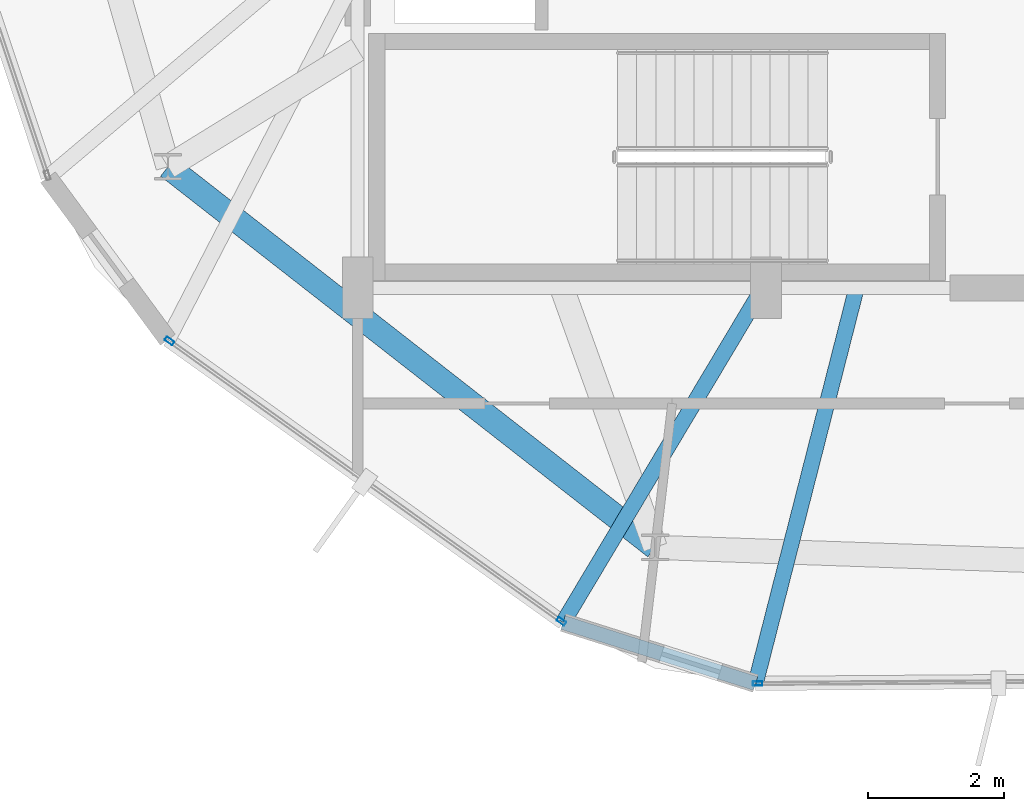
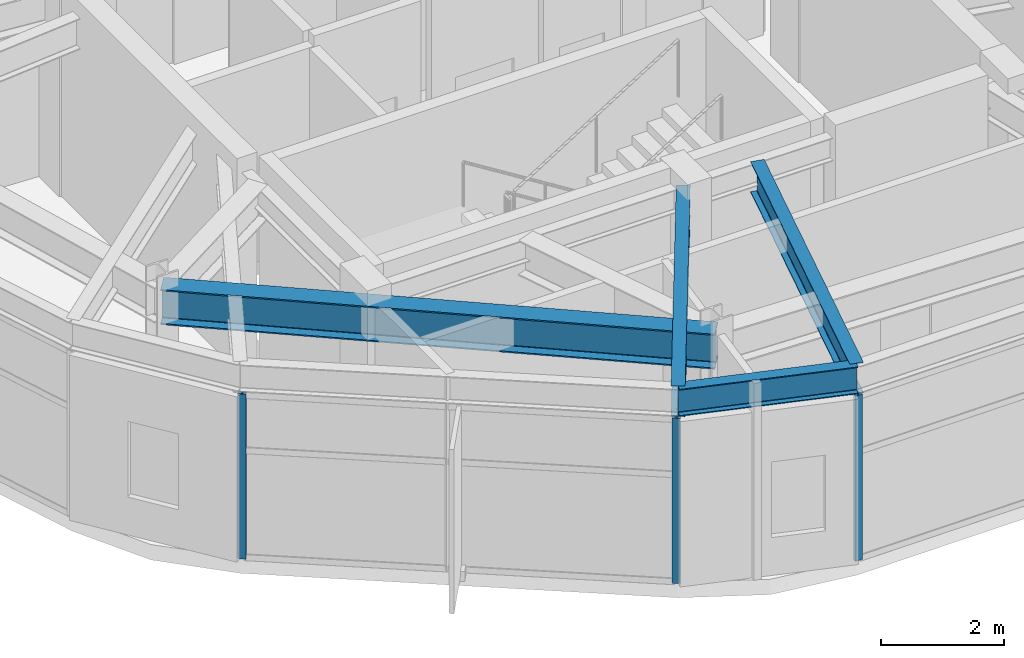
# One storey, part 2 of 22: 4 beams, 3 members, 2 elements without a shape of their own.
"""IFC4 building model written with IfcOpenShell, lengths in metres."""

from ifc_helpers import new_model, si_unit, direction, frame, origin, origin_2d, place, context, subcontext, project, spatial, hollow_rectangle, i_section, extrude, material, layer, layer_set, material_profile, profile_set, type_object, element, aggregate, save


model = new_model("IFC4")

# Units and contexts
model_context = context("Model", 3, precision=1e-05, world=origin(), true_north=direction((0.0, 1.0)))
body_context = subcontext(model_context, "Body", "Model", "MODEL_VIEW")
ifc_project = project(units=[si_unit("LENGTHUNIT", "METRE"), si_unit("AREAUNIT", "SQUARE_METRE"), si_unit("VOLUMEUNIT", "CUBIC_METRE"), si_unit("PLANEANGLEUNIT", "RADIAN"), si_unit("MASSUNIT", "GRAM", prefix="KILO")], contexts=[model_context])

# Site, building, storey
site_placement = place(None, origin())
site = spatial("IfcSite", under=ifc_project, at=site_placement, CompositionType="ELEMENT")
building_placement = place(site_placement, origin())
building = spatial("IfcBuilding", under=site, at=building_placement, Name="Soratama Intermodal Tower", CompositionType="ELEMENT")
storey_placement = place(building_placement, frame((0.0, 0.0, 301.449951171875)))
storey = spatial("IfcBuildingStorey", under=building, at=storey_placement, Name="L76", CompositionType="ELEMENT", Elevation=301.449951171875)

# Beams
ifc_material_1 = material(Name="Structural steel ASTM A992 Grade 50", Category="steel")
ifc_material_profile_1 = material_profile(ifc_material_1, i_section(OverallWidth=0.35498046875, OverallDepth=0.695068359375, WebThickness=0.015380859375, FlangeThickness=0.02490234375, FilletRadius=0.01611328125, at=origin_2d()), Name="W27X146")
ifc_profile_set_1 = profile_set([ifc_material_profile_1], Name="Structural steel ASTM A992 Grade 50")
beam_type_1 = type_object("IfcBeamType", Name="BM-RING-W27X146", PredefinedType="BEAM", material=ifc_profile_set_1)
beam_1_placement = place(storey_placement, frame((29.81298828125, 16.780029296875, 3.547607421875), z_axis=(0.78801907717, -0.615650821502, 0.0), x_axis=(0.615650821502, 0.78801907717, 0.0)))
element("IfcBeam", 1, at=beam_1_placement, inside=storey, type_object=beam_type_1, Name="BM-L76-RING-06", PredefinedType="BEAM", context=body_context, shape_type="SweptSolid", body=[
    extrude(i_section(OverallWidth=0.35498046875, OverallDepth=0.695068359375, WebThickness=0.015380859375, FlangeThickness=0.02490234375, FilletRadius=0.01611328125, at=origin_2d()), origin(), (0.0, 0.0, 1.0), 9.084716796875),
])
ifc_material_2 = material(Name="Structural steel ASTM A992 Grade 50", Category="steel")
ifc_material_profile_2 = material_profile(ifc_material_2, i_section(OverallWidth=0.2099609375, OverallDepth=0.537109375, WebThickness=0.010986328125, FlangeThickness=0.017333984375, FilletRadius=0.012939453125, at=origin_2d()), Name="W21X68")
ifc_profile_set_2 = profile_set([ifc_material_profile_2], Name="Structural steel ASTM A992 Grade 50")
beam_type_2 = type_object("IfcBeamType", Name="BM-SPN-W21X68", PredefinedType="SPANDREL", material=ifc_profile_set_2)
beam_2_placement = place(storey_placement, frame((35.617919921875, 10.0830078125, 3.62646484375), z_axis=(0.953301162706, -0.302021345574, 0.0), x_axis=(0.302021345574, 0.953301162706, 0.0)))
element("IfcBeam", 2, at=beam_2_placement, inside=storey, type_object=beam_type_2, Name="BS-L76-CRN05", PredefinedType="SPANDREL", context=body_context, shape_type="SweptSolid", body=[
    extrude(i_section(OverallWidth=0.2099609375, OverallDepth=0.537109375, WebThickness=0.010986328125, FlangeThickness=0.017333984375, FilletRadius=0.012939453125, at=origin_2d()), origin(), (0.0, 0.0, 1.0), 2.966552734375),
])
ifc_material_3 = material(Name="Structural steel ASTM A992 Grade 50", Category="steel")
ifc_material_profile_3 = material_profile(ifc_material_3, i_section(OverallWidth=0.22900390625, OverallDepth=0.612060546875, WebThickness=0.011962890625, FlangeThickness=0.01953125, FilletRadius=0.012939453125, at=origin_2d()), Name="W24X84")
ifc_profile_set_3 = profile_set([ifc_material_profile_3], Name="Structural steel ASTM A992 Grade 50")
beam_type_3 = type_object("IfcBeamType", Name="BM-TIE-W24X84", PredefinedType="BEAM", material=ifc_profile_set_3)
beam_3_placement = place(storey_placement, frame((38.532958984375, 14.966064453125, 3.589111328125), z_axis=(-0.512581574736, -0.858638532353, 0.0), x_axis=(0.858638532353, -0.512581574736, 0.0)))
element("IfcBeam", 3, at=beam_3_placement, inside=storey, type_object=beam_type_3, Name="BM-L76-TIE1-05", PredefinedType="BEAM", context=body_context, shape_type="SweptSolid", body=[
    extrude(i_section(OverallWidth=0.22900390625, OverallDepth=0.612060546875, WebThickness=0.011962890625, FlangeThickness=0.01953125, FilletRadius=0.012939453125, at=origin_2d()), origin(), (0.0, 0.0, 1.0), 5.68701171875),
])
beam_4_placement = place(storey_placement, frame((39.919921875, 14.9609375, 3.589111328125), z_axis=(-0.247333325782, -0.968930454655, 0.0), x_axis=(0.968930454655, -0.247333325782, 0.0)))
element("IfcBeam", 4, at=beam_4_placement, inside=storey, type_object=beam_type_3, Name="BM-L76-TIE0-06", PredefinedType="BEAM", context=body_context, shape_type="SweptSolid", body=[
    extrude(i_section(OverallWidth=0.22900390625, OverallDepth=0.612060546875, WebThickness=0.011962890625, FlangeThickness=0.01953125, FilletRadius=0.012939453125, at=origin_2d()), origin(), (0.0, 0.0, 1.0), 5.958984375),
])

# Curtain wall, members
ifc_material_4 = material(Name="Double-glazed aluminium curtain wall", Category="aluminium")
ifc_layer = layer(ifc_material_4, 0.159912109375)
ifc_layer_set = layer_set([ifc_layer], Name="Double-glazed aluminium curtain wall")
curtain_wall_type = type_object("IfcCurtainWallType", Name="CW-SYS-6", PredefinedType="NOTDEFINED", material=ifc_layer_set)
curtain_wall_1_placement = place(storey_placement, origin())
curtain_wall_1 = element("IfcCurtainWall", 5, at=curtain_wall_1_placement, inside=storey, type_object=curtain_wall_type, Name="L76 Faceted Curtain Wall F05", PredefinedType="NOTDEFINED")
ifc_material_5 = material(Name="Anodised aluminium AA 6063-T6", Category="aluminium")
ifc_material_profile_4 = material_profile(ifc_material_5, hollow_rectangle(XDim=0.06494140625, YDim=0.139892578125, WallThickness=0.0048828125, InnerFilletRadius=0.0048828125, OuterFilletRadius=0.010009765625, at=origin_2d()), Name="CWM140X65X5")
ifc_profile_set_4 = profile_set([ifc_material_profile_4], Name="Anodised aluminium AA 6063-T6")
member_type = type_object("IfcMemberType", Name="MT-CWM-6", PredefinedType="MULLION", material=ifc_profile_set_4)
member_1_placement = place(storey_placement, frame((29.8349609375, 14.2197265625, 0.0), z_axis=(0.0, 0.0, 1.0), x_axis=(0.581838183727, 0.813304572689, 0.0)))
member_1 = element("IfcMember", 6, at=member_1_placement, type_object=member_type, Name="CW-6 mullion 1", PredefinedType="MULLION", context=body_context, shape_type="SweptSolid", body=[
    extrude(hollow_rectangle(XDim=0.06494140625, YDim=0.139892578125, WallThickness=0.0048828125, InnerFilletRadius=0.0048828125, OuterFilletRadius=0.010009765625, at=origin_2d()), origin(), (0.0, 0.0, 1.0), 3.274169921875),
])
member_2_placement = place(storey_placement, frame((35.59326171875, 10.10009765625, 0.0), z_axis=(0.0, 0.0, 1.0), x_axis=(0.581838183727, 0.813304572689, 0.0)))
member_2 = element("IfcMember", 7, at=member_2_placement, type_object=member_type, Name="CW-6 mullion 2", PredefinedType="MULLION", context=body_context, shape_type="SweptSolid", body=[
    extrude(hollow_rectangle(XDim=0.06494140625, YDim=0.139892578125, WallThickness=0.0048828125, InnerFilletRadius=0.0048828125, OuterFilletRadius=0.010009765625, at=origin_2d()), origin(), (0.0, 0.0, 1.0), 3.274169921875),
])
aggregate(curtain_wall_1, [member_1, member_2])

# Curtain wall, member
curtain_wall_2_placement = place(storey_placement, origin())
curtain_wall_2 = element("IfcCurtainWall", 8, at=curtain_wall_2_placement, inside=storey, type_object=curtain_wall_type, Name="L76 Faceted Curtain Wall F06", PredefinedType="NOTDEFINED")
member_3_placement = place(storey_placement, frame((38.475830078125, 9.18701171875, 0.0), z_axis=(0.0, 0.0, 1.0), x_axis=(-0.007338840732, 0.999973070346, 0.0)))
member_3 = element("IfcMember", 9, at=member_3_placement, type_object=member_type, Name="CW-6 mullion 1", PredefinedType="MULLION", context=body_context, shape_type="SweptSolid", body=[
    extrude(hollow_rectangle(XDim=0.06494140625, YDim=0.139892578125, WallThickness=0.0048828125, InnerFilletRadius=0.0048828125, OuterFilletRadius=0.010009765625, at=origin_2d()), origin(), (0.0, 0.0, 1.0), 3.274169921875),
])
aggregate(curtain_wall_2, [member_3])

save(model, "model.ifc")
